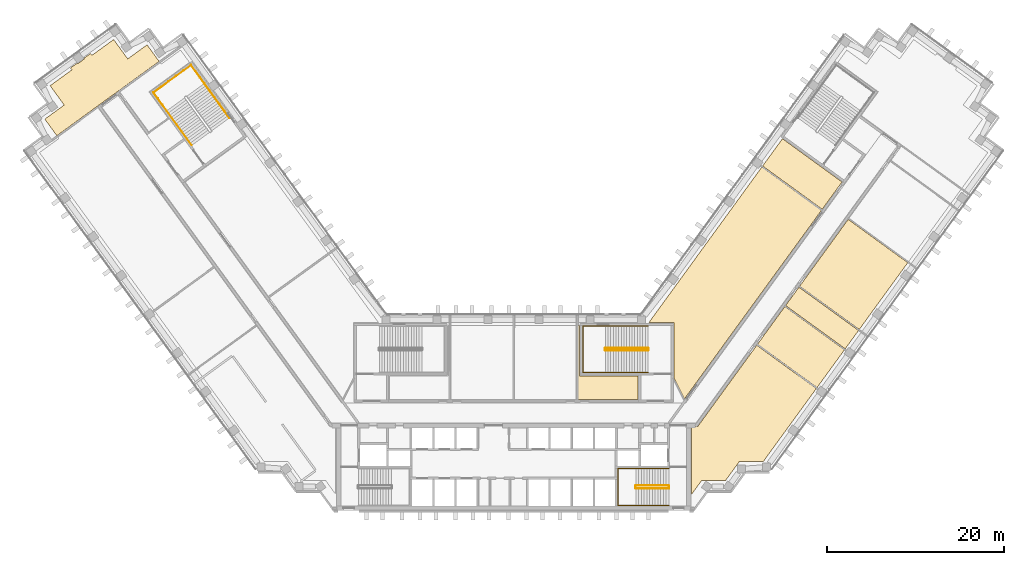
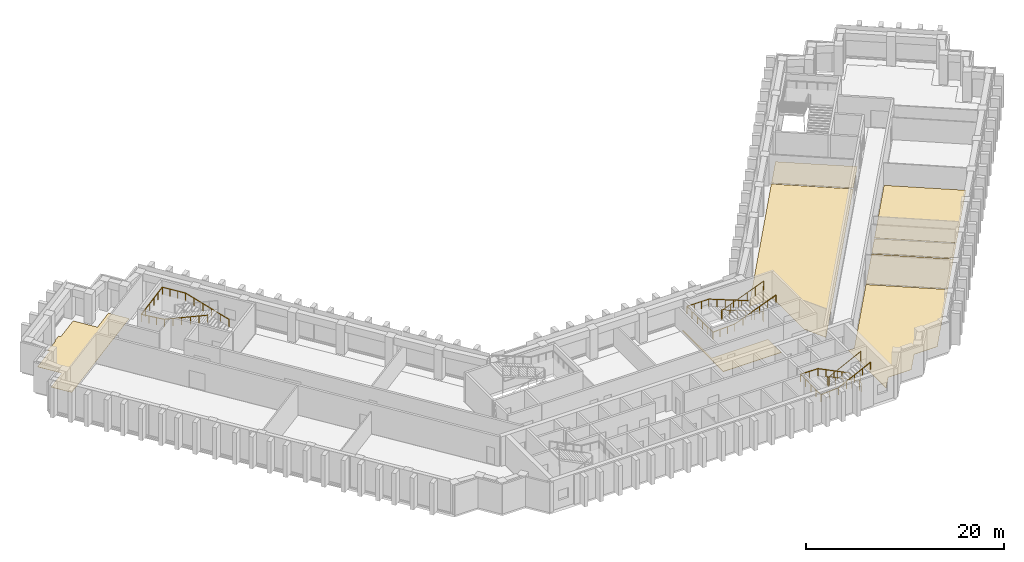
# One storey, part 12 of 13: 8 coverings, 5 railings.
"""IFC4 building model written with IfcOpenShell, lengths in metres."""

from ifc_helpers import new_model, si_unit, direction, frame, origin, origin_2d, place, context, subcontext, project, spatial, polyline, circle, outline, extrude, material, layer, layer_set, type_object, element, save


model = new_model("IFC4")

# Units and contexts
model_context = context("Model", 3, precision=1e-05, world=origin(), true_north=direction((0.0, 1.0)))
body_context = subcontext(model_context, "Body", "Model", "MODEL_VIEW")
ifc_project = project(units=[si_unit("LENGTHUNIT", "METRE"), si_unit("AREAUNIT", "SQUARE_METRE"), si_unit("VOLUMEUNIT", "CUBIC_METRE"), si_unit("PLANEANGLEUNIT", "RADIAN"), si_unit("MASSUNIT", "GRAM", prefix="KILO")], contexts=[model_context])

# Site, building, storey
site_placement = place(None, origin())
site = spatial("IfcSite", under=ifc_project, at=site_placement, CompositionType="ELEMENT")
building_placement = place(site_placement, origin())
building = spatial("IfcBuilding", under=site, at=building_placement, Name="Quipu Civic Tower", CompositionType="ELEMENT")
storey_placement = place(building_placement, frame((0.0, 0.0, 67.0)))
storey = spatial("IfcBuildingStorey", under=building, at=storey_placement, Name="L15", CompositionType="ELEMENT", Elevation=67.0)

# Coverings
ifc_material_1 = material(Name="Carpet tile on raised access floor")
ifc_layer_1 = layer(ifc_material_1, 0.02001953125)
ifc_layer_set_1 = layer_set([ifc_layer_1], Name="Carpet tile on raised access floor")
covering_type_1 = type_object("IfcCoveringType", Name="Carpet tile floor finish 20", PredefinedType="FLOORING", material=ifc_layer_set_1)
covering_1_placement = place(storey_placement, origin())
element("IfcCovering", 1, at=covering_1_placement, inside=storey, type_object=covering_type_1, Name="Carpet tile floor finish 20", PredefinedType="FLOORING", context=body_context, shape_type="SweptSolid", body=[
    extrude(outline(polyline([(27.4990234375, 7.73388671875), (30.590087890625, 11.989990234375), (37.31298828125, 7.10595703125), (34.221923828125, 2.85107421875), (27.4990234375, 7.73388671875)])), origin(), (0.0, 0.0, 1.0), 0.02001953125),
])
covering_2_placement = place(storey_placement, origin())
element("IfcCovering", 2, at=covering_2_placement, inside=storey, type_object=covering_type_1, Name="Carpet tile floor finish 20", PredefinedType="FLOORING", context=body_context, shape_type="SweptSolid", body=[
    extrude(outline(polyline([(15.238037109375, 10.169921875), (27.99609375, 27.72998046875), (34.719970703125, 22.845947265625), (19.27197265625, 1.583984375), (18.070068359375, 3.94189453125), (18.070068359375, 10.1689453125), (15.238037109375, 10.169921875)])), origin(), (0.0, 0.0, 1.0), 0.02001953125),
])
covering_3_placement = place(storey_placement, origin())
element("IfcCovering", 3, at=covering_3_placement, inside=storey, type_object=covering_type_1, Name="Carpet tile floor finish 20", PredefinedType="FLOORING", context=body_context, shape_type="SweptSolid", body=[
    extrude(outline(polyline([(-52.883056640625, 33.12890625), (-50.698974609375, 34.717041015625), (-52.284912109375, 36.90087890625), (-49.826904296875, 38.68603515625), (-49.97900390625, 38.89697265625), (-49.259033203125, 39.4208984375), (-49.236083984375, 39.388916015625), (-49.23291015625, 39.385009765625), (-49.22900390625, 39.382080078125), (-49.22607421875, 39.3779296875), (-49.220947265625, 39.3759765625), (-49.217041015625, 39.373046875), (-49.212890625, 39.37109375), (-49.2080078125, 39.3701171875), (-49.202880859375, 39.368896484375), (-49.197998046875, 39.367919921875), (-49.193115234375, 39.367919921875), (-49.18896484375, 39.368896484375), (-49.18408203125, 39.3701171875), (-49.178955078125, 39.37109375), (-49.174072265625, 39.373046875), (-49.169921875, 39.375), (-49.166015625, 39.3779296875), (-48.43798828125, 39.906982421875), (-48.43408203125, 39.909912109375), (-48.430908203125, 39.9130859375), (-48.427001953125, 39.9169921875), (-48.425048828125, 39.9208984375), (-48.422119140625, 39.926025390625), (-48.419921875, 39.929931640625), (-48.4189453125, 39.93505859375), (-48.41796875, 39.93994140625), (-48.4169921875, 39.944091796875), (-48.4169921875, 39.948974609375), (-48.41796875, 39.9541015625), (-48.4189453125, 39.958984375), (-48.419921875, 39.964111328125), (-48.422119140625, 39.968017578125), (-48.424072265625, 39.972900390625), (-48.427001953125, 39.97705078125), (-48.449951171875, 40.008056640625), (-47.72900390625, 40.531982421875), (-47.574951171875, 40.322021484375), (-45.116943359375, 42.10791015625), (-43.531982421875, 39.925048828125), (-41.346923828125, 41.510986328125), (-39.989013671875, 39.64208984375), (-51.52587890625, 31.260009765625), (-52.883056640625, 33.12890625)])), origin(), (0.0, 0.0, 1.0), 0.02001953125),
])
covering_4_placement = place(storey_placement, origin())
element("IfcCovering", 4, at=covering_4_placement, inside=storey, type_object=covering_type_1, Name="Carpet tile floor finish 20", PredefinedType="FLOORING", context=body_context, shape_type="SweptSolid", body=[
    extrude(outline(polyline([(20.070068359375, -9.195068359375), (20.070068359375, -1.52001953125), (20.77490234375, -1.51904296875), (27.416015625, 7.62109375), (34.138916015625, 2.738037109375), (28.181884765625, -5.4609375), (25.48193359375, -5.4619140625), (25.2080078125, -5.840087890625), (25.205078125, -5.841064453125), (25.200927734375, -5.843017578125), (25.197021484375, -5.844970703125), (25.193115234375, -5.847900390625), (25.18896484375, -5.85205078125), (25.18603515625, -5.85498046875), (25.18310546875, -5.85888671875), (25.179931640625, -5.863037109375), (25.177978515625, -5.867919921875), (25.177001953125, -5.8720703125), (25.175048828125, -5.876953125), (25.175048828125, -5.882080078125), (25.174072265625, -5.885986328125), (23.89501953125, -7.64599609375), (21.721923828125, -7.64599609375), (21.721923828125, -7.64599609375), (21.718017578125, -7.64306640625), (21.712890625, -7.64111328125), (21.708984375, -7.638916015625), (21.7041015625, -7.637939453125), (21.698974609375, -7.636962890625), (21.694091796875, -7.635986328125), (21.68896484375, -7.636962890625), (21.68408203125, -7.636962890625), (21.679931640625, -7.637939453125), (21.675048828125, -7.639892578125), (21.669921875, -7.64111328125), (21.666015625, -7.64404296875), (21.6630859375, -7.64599609375), (21.196044921875, -7.64599609375), (20.070068359375, -9.195068359375)])), origin(), (0.0, 0.0, 1.0), 0.02001953125),
])
ifc_material_2 = material(Name="Ceramic floor tile")
ifc_layer_2 = layer(ifc_material_2, 0.030029296875)
ifc_layer_set_2 = layer_set([ifc_layer_2], Name="Ceramic floor tile")
covering_type_2 = type_object("IfcCoveringType", Name="Ceramic tile floor finish 30", PredefinedType="FLOORING", material=ifc_layer_set_2)
covering_5_placement = place(storey_placement, origin())
element("IfcCovering", 5, at=covering_5_placement, inside=storey, type_object=covering_type_2, Name="Ceramic tile floor finish 30", PredefinedType="FLOORING", context=body_context, shape_type="SweptSolid", body=[
    extrude(outline(polyline([(32.260009765625, 14.287109375), (37.73095703125, 21.820068359375), (44.455078125, 16.93603515625), (38.98291015625, 9.404052734375), (32.260009765625, 14.287109375)])), origin(), (0.0, 0.0, 1.0), 0.030029296875),
])
covering_6_placement = place(storey_placement, origin())
element("IfcCovering", 6, at=covering_6_placement, inside=storey, type_object=covering_type_2, Name="Ceramic tile floor finish 30", PredefinedType="FLOORING", context=body_context, shape_type="SweptSolid", body=[
    extrude(outline(polyline([(28.0791015625, 27.843017578125), (30.31494140625, 30.922119140625), (37.0380859375, 26.0380859375), (34.802001953125, 22.958984375), (28.0791015625, 27.843017578125)])), origin(), (0.0, 0.0, 1.0), 0.030029296875),
])
covering_7_placement = place(storey_placement, origin())
element("IfcCovering", 7, at=covering_7_placement, inside=storey, type_object=covering_type_2, Name="Ceramic tile floor finish 30", PredefinedType="FLOORING", context=body_context, shape_type="SweptSolid", body=[
    extrude(outline(polyline([(30.673095703125, 12.10302734375), (32.177001953125, 14.174072265625), (38.89990234375, 9.291015625), (37.39599609375, 7.218994140625), (30.673095703125, 12.10302734375)])), origin(), (0.0, 0.0, 1.0), 0.030029296875),
])
ifc_material_3 = material(Name="Sealed cement screed")
ifc_layer_3 = layer(ifc_material_3, 0.050048828125)
ifc_layer_set_3 = layer_set([ifc_layer_3], Name="Sealed cement screed")
covering_type_3 = type_object("IfcCoveringType", Name="Sealed screed floor finish 50", PredefinedType="FLOORING", material=ifc_layer_set_3)
covering_8_placement = place(storey_placement, origin())
element("IfcCovering", 8, at=covering_8_placement, inside=storey, type_object=covering_type_3, Name="Sealed screed floor finish 50", PredefinedType="FLOORING", context=body_context, shape_type="SweptSolid", body=[
    extrude(outline(polyline([(7.26806640625, 1.52001953125), (7.26806640625, 9.830078125), (7.429931640625, 9.830078125), (7.429931640625, 4.180908203125), (14.030029296875, 4.179931640625), (14.030029296875, 1.52001953125), (7.26806640625, 1.52001953125)])), origin(), (0.0, 0.0, 1.0), 0.050048828125),
])

# Railings
ifc_material_4 = material(Name="Stainless steel", Category="steel")
railing_type_1 = type_object("IfcRailingType", Name="Stair guard 1100", PredefinedType="GUARDRAIL", material=ifc_material_4)
railing_1_placement = place(storey_placement, frame((17.5, -8.199951171875, 0.15380859375)))
element("IfcRailing", 9, at=railing_1_placement, inside=storey, type_object=railing_type_1, Name="Stair 2 guard", PredefinedType="GUARDRAIL", context=body_context, shape_type="SweptSolid", body=[
    extrude(circle(Radius=0.02392578125, at=origin_2d()), frame((0.0, 0.0, 1.076171875), z_axis=(-0.895751851347, 0.0, 0.444554407028), x_axis=(0.0, -1.0, 0.0)), (0.0, 0.0, 1.0), 4.15283203125),
    extrude(circle(Radius=0.02392578125, at=origin_2d()), frame((-3.719970703125, 0.0, 2.92236328125), z_axis=(-0.707106781187, -0.707106781187, 0.0), x_axis=(0.707106781187, -0.707106781187, 0.0)), (0.0, 0.0, 1.0), 0.07080078125),
    extrude(circle(Radius=0.02392578125, at=origin_2d()), frame((-3.77001953125, -0.050048828125, 2.92236328125), z_axis=(0.0, -1.0, 0.0), x_axis=(1.0, 0.0, 0.0)), (0.0, 0.0, 1.0), 0.25),
    extrude(circle(Radius=0.02392578125, at=origin_2d()), frame((-3.77001953125, -0.300048828125, 2.92236328125), z_axis=(0.295599637079, -0.295599637079, 0.908428152975), x_axis=(0.707106781187, 0.707106781187, 0.0)), (0.0, 0.0, 1.0), 0.16943359375),
    extrude(circle(Radius=0.02392578125, at=origin_2d()), frame((-3.719970703125, -0.35009765625, 3.076171875), z_axis=(0.895751851347, 0.0, 0.444554407028), x_axis=(0.0, 1.0, 0.0)), (0.0, 0.0, 1.0), 4.15283203125),
    extrude(circle(Radius=0.02392578125, at=origin_2d()), frame((0.0, -0.35009765625, 4.92236328125), z_axis=(0.012476181752, 0.074796231092, -0.997120789425), x_axis=(-0.986372223864, 0.164529134168, 0.0)), (0.0, 0.0, 1.0), 4.011474609375),
    extrude(circle(Radius=0.02392578125, at=origin_2d()), frame((0.050048828125, -0.050048828125, 0.92236328125), z_axis=(0.0, -1.0, 0.0), x_axis=(1.0, 0.0, 0.0)), (0.0, 0.0, 1.0), 0.25),
    extrude(circle(Radius=0.02099609375, at=origin_2d()), origin(), (0.0, 0.0, 1.0), 1.052001953125),
    extrude(circle(Radius=0.02099609375, at=origin_2d()), frame((-0.929931640625, 0.0, 0.46142578125)), (0.0, 0.0, 1.0), 1.052001953125),
    extrude(circle(Radius=0.02099609375, at=origin_2d()), frame((-1.85986328125, 0.0, 0.923095703125)), (0.0, 0.0, 1.0), 1.052001953125),
    extrude(circle(Radius=0.02099609375, at=origin_2d()), frame((-2.7900390625, 0.0, 1.384765625)), (0.0, 0.0, 1.0), 1.052001953125),
    extrude(circle(Radius=0.02099609375, at=origin_2d()), frame((-3.719970703125, 0.0, 1.84619140625)), (0.0, 0.0, 1.0), 1.052001953125),
    extrude(circle(Radius=0.02099609375, at=origin_2d()), frame((-3.77001953125, -0.050048828125, 1.84619140625)), (0.0, 0.0, 1.0), 1.052001953125),
    extrude(circle(Radius=0.02099609375, at=origin_2d()), frame((-3.77001953125, -0.300048828125, 1.84619140625)), (0.0, 0.0, 1.0), 1.052001953125),
    extrude(circle(Radius=0.02099609375, at=origin_2d()), frame((-3.719970703125, -0.35009765625, 2.0)), (0.0, 0.0, 1.0), 1.052001953125),
    extrude(circle(Radius=0.02099609375, at=origin_2d()), frame((-2.7900390625, -0.35009765625, 2.46142578125)), (0.0, 0.0, 1.0), 1.052001953125),
    extrude(circle(Radius=0.02099609375, at=origin_2d()), frame((-1.85986328125, -0.35009765625, 2.923095703125)), (0.0, 0.0, 1.0), 1.052001953125),
    extrude(circle(Radius=0.02099609375, at=origin_2d()), frame((-0.929931640625, -0.35009765625, 3.384765625)), (0.0, 0.0, 1.0), 1.052001953125),
    extrude(circle(Radius=0.02099609375, at=origin_2d()), frame((0.0, -0.35009765625, 3.84619140625)), (0.0, 0.0, 1.0), 1.052001953125),
    extrude(circle(Radius=0.02099609375, at=origin_2d()), frame((0.012451171875, -0.275146484375, 2.84619140625)), (0.0, 0.0, 1.0), 1.052001953125),
    extrude(circle(Radius=0.02099609375, at=origin_2d()), frame((0.02490234375, -0.2001953125, 1.84619140625)), (0.0, 0.0, 1.0), 1.052001953125),
    extrude(circle(Radius=0.02099609375, at=origin_2d()), frame((0.03759765625, -0.125, 0.84619140625)), (0.0, 0.0, 1.0), 1.052001953125),
    extrude(circle(Radius=0.02099609375, at=origin_2d()), frame((0.050048828125, -0.050048828125, -0.15380859375)), (0.0, 0.0, 1.0), 1.052001953125),
    extrude(circle(Radius=0.02099609375, at=origin_2d()), frame((0.050048828125, -0.300048828125, -0.15380859375)), (0.0, 0.0, 1.0), 1.052001953125),
])
railing_2_placement = place(storey_placement, frame((15.14990234375, 7.300048828125, 0.11767578125)))
element("IfcRailing", 10, at=railing_2_placement, inside=storey, type_object=railing_type_1, Name="Stair 4 guard", PredefinedType="GUARDRAIL", context=body_context, shape_type="SweptSolid", body=[
    extrude(circle(Radius=0.02392578125, at=origin_2d()), frame((0.0, 0.0, 1.076171875), z_axis=(-0.930970042603, 0.0, 0.365095576219), x_axis=(0.0, -1.0, 0.0)), (0.0, 0.0, 1.0), 5.15576171875),
    extrude(circle(Radius=0.02392578125, at=origin_2d()), frame((-4.7998046875, 0.0, 2.95849609375), z_axis=(-0.707106781187, -0.707106781187, 0.0), x_axis=(0.707106781187, -0.707106781187, 0.0)), (0.0, 0.0, 1.0), 0.07080078125),
    extrude(circle(Radius=0.02392578125, at=origin_2d()), frame((-4.849853515625, -0.050048828125, 2.95849609375), z_axis=(0.0, -1.0, 0.0), x_axis=(1.0, 0.0, 0.0)), (0.0, 0.0, 1.0), 0.14990234375),
    extrude(circle(Radius=0.02392578125, at=origin_2d()), frame((-4.849853515625, -0.199951171875, 2.95849609375), z_axis=(0.364463019033, -0.364463019033, 0.856932561824), x_axis=(0.707106781187, 0.707106781187, 0.0)), (0.0, 0.0, 1.0), 0.13720703125),
    extrude(circle(Radius=0.02392578125, at=origin_2d()), frame((-4.7998046875, -0.25, 3.076171875), z_axis=(0.930970042603, 0.0, 0.365095576219), x_axis=(0.0, 1.0, 0.0)), (0.0, 0.0, 1.0), 5.15576171875),
    extrude(circle(Radius=0.02392578125, at=origin_2d()), frame((0.0, -0.25, 4.95849609375), z_axis=(0.012495627992, 0.049921557685, -0.998674970829), x_axis=(-0.970072785993, 0.242814311512, 0.0)), (0.0, 0.0, 1.0), 4.00537109375),
    extrude(circle(Radius=0.02392578125, at=origin_2d()), frame((0.050048828125, -0.050048828125, 0.95849609375), z_axis=(0.0, -1.0, 0.0), x_axis=(1.0, 0.0, 0.0)), (0.0, 0.0, 1.0), 0.14990234375),
    extrude(circle(Radius=0.02099609375, at=origin_2d()), origin(), (0.0, 0.0, 1.0), 1.052001953125),
    extrude(circle(Radius=0.02099609375, at=origin_2d()), frame((-0.9599609375, 0.0, 0.37646484375)), (0.0, 0.0, 1.0), 1.052001953125),
    extrude(circle(Radius=0.02099609375, at=origin_2d()), frame((-1.919921875, 0.0, 0.7529296875)), (0.0, 0.0, 1.0), 1.052001953125),
    extrude(circle(Radius=0.02099609375, at=origin_2d()), frame((-2.8798828125, 0.0, 1.12939453125)), (0.0, 0.0, 1.0), 1.052001953125),
    extrude(circle(Radius=0.02099609375, at=origin_2d()), frame((-3.83984375, 0.0, 1.505859375)), (0.0, 0.0, 1.0), 1.052001953125),
    extrude(circle(Radius=0.02099609375, at=origin_2d()), frame((-4.7998046875, 0.0, 1.88232421875)), (0.0, 0.0, 1.0), 1.052001953125),
    extrude(circle(Radius=0.02099609375, at=origin_2d()), frame((-4.849853515625, -0.050048828125, 1.88232421875)), (0.0, 0.0, 1.0), 1.052001953125),
    extrude(circle(Radius=0.02099609375, at=origin_2d()), frame((-4.849853515625, -0.199951171875, 1.88232421875)), (0.0, 0.0, 1.0), 1.052001953125),
    extrude(circle(Radius=0.02099609375, at=origin_2d()), frame((-4.7998046875, -0.25, 2.0)), (0.0, 0.0, 1.0), 1.052001953125),
    extrude(circle(Radius=0.02099609375, at=origin_2d()), frame((-3.83984375, -0.25, 2.37646484375)), (0.0, 0.0, 1.0), 1.052001953125),
    extrude(circle(Radius=0.02099609375, at=origin_2d()), frame((-2.8798828125, -0.25, 2.7529296875)), (0.0, 0.0, 1.0), 1.052001953125),
    extrude(circle(Radius=0.02099609375, at=origin_2d()), frame((-1.919921875, -0.25, 3.12939453125)), (0.0, 0.0, 1.0), 1.052001953125),
    extrude(circle(Radius=0.02099609375, at=origin_2d()), frame((-0.9599609375, -0.25, 3.505859375)), (0.0, 0.0, 1.0), 1.052001953125),
    extrude(circle(Radius=0.02099609375, at=origin_2d()), frame((0.0, -0.25, 3.88232421875)), (0.0, 0.0, 1.0), 1.052001953125),
    extrude(circle(Radius=0.02099609375, at=origin_2d()), frame((0.012451171875, -0.199951171875, 2.88232421875)), (0.0, 0.0, 1.0), 1.052001953125),
    extrude(circle(Radius=0.02099609375, at=origin_2d()), frame((0.02490234375, -0.14990234375, 1.88232421875)), (0.0, 0.0, 1.0), 1.052001953125),
    extrude(circle(Radius=0.02099609375, at=origin_2d()), frame((0.03759765625, -0.10009765625, 0.88232421875)), (0.0, 0.0, 1.0), 1.052001953125),
    extrude(circle(Radius=0.02099609375, at=origin_2d()), frame((0.050048828125, -0.050048828125, -0.11767578125)), (0.0, 0.0, 1.0), 1.052001953125),
    extrude(circle(Radius=0.02099609375, at=origin_2d()), frame((0.050048828125, -0.199951171875, -0.11767578125)), (0.0, 0.0, 1.0), 1.052001953125),
])
ifc_material_5 = material(Name="Stainless steel", Category="steel")
railing_type_2 = type_object("IfcRailingType", Name="Stair handrail", PredefinedType="HANDRAIL", material=ifc_material_5)
railing_3_placement = place(storey_placement, frame((17.5, -6.300048828125, 0.15380859375)))
element("IfcRailing", 11, at=railing_3_placement, inside=storey, type_object=railing_type_2, Name="Stair 2 handrail", PredefinedType="HANDRAIL", context=body_context, shape_type="SweptSolid", body=[
    extrude(circle(Radius=0.02392578125, at=origin_2d()), frame((0.0, 0.0, 0.8759765625), z_axis=(-0.895751851347, 0.0, 0.444554407028), x_axis=(0.0, -1.0, 0.0)), (0.0, 0.0, 1.0), 4.15283203125),
    extrude(circle(Radius=0.02392578125, at=origin_2d()), frame((-3.719970703125, 0.0, 2.72216796875), z_axis=(-1.0, 0.0, 0.0), x_axis=(0.0, -1.0, 0.0)), (0.0, 0.0, 1.0), 2.030029296875),
    extrude(circle(Radius=0.02392578125, at=origin_2d()), frame((-5.75, 0.0, 2.72216796875), z_axis=(0.0, -1.0, 0.0), x_axis=(1.0, 0.0, 0.0)), (0.0, 0.0, 1.0), 4.14990234375),
    extrude(circle(Radius=0.02392578125, at=origin_2d()), frame((-5.75, -4.14990234375, 2.72216796875), z_axis=(0.997142003663, 0.0, 0.075550145798), x_axis=(0.0, 1.0, 0.0)), (0.0, 0.0, 1.0), 2.035888671875),
    extrude(circle(Radius=0.02392578125, at=origin_2d()), frame((-3.719970703125, -4.14990234375, 2.8759765625), z_axis=(0.895751851347, 0.0, 0.444554407028), x_axis=(0.0, 1.0, 0.0)), (0.0, 0.0, 1.0), 4.15283203125),
    extrude(circle(Radius=0.02099609375, at=origin_2d()), origin(), (0.0, 0.0, 1.0), 0.851806640625),
    extrude(circle(Radius=0.02099609375, at=origin_2d()), frame((-0.929931640625, 0.0, 0.46142578125)), (0.0, 0.0, 1.0), 0.851806640625),
    extrude(circle(Radius=0.02099609375, at=origin_2d()), frame((-1.85986328125, 0.0, 0.923095703125)), (0.0, 0.0, 1.0), 0.851806640625),
    extrude(circle(Radius=0.02099609375, at=origin_2d()), frame((-2.7900390625, 0.0, 1.384765625)), (0.0, 0.0, 1.0), 0.851806640625),
    extrude(circle(Radius=0.02099609375, at=origin_2d()), frame((-3.719970703125, 0.0, 1.84619140625)), (0.0, 0.0, 1.0), 0.851806640625),
    extrude(circle(Radius=0.02099609375, at=origin_2d()), frame((-4.73486328125, 0.0, 1.84619140625)), (0.0, 0.0, 1.0), 0.851806640625),
    extrude(circle(Radius=0.02099609375, at=origin_2d()), frame((-5.75, 0.0, 1.84619140625)), (0.0, 0.0, 1.0), 0.851806640625),
    extrude(circle(Radius=0.02099609375, at=origin_2d()), frame((-5.75, -1.03759765625, 1.84619140625)), (0.0, 0.0, 1.0), 0.851806640625),
    extrude(circle(Radius=0.02099609375, at=origin_2d()), frame((-5.75, -2.074951171875, 1.84619140625)), (0.0, 0.0, 1.0), 0.851806640625),
    extrude(circle(Radius=0.02099609375, at=origin_2d()), frame((-5.75, -3.1123046875, 1.84619140625)), (0.0, 0.0, 1.0), 0.851806640625),
    extrude(circle(Radius=0.02099609375, at=origin_2d()), frame((-5.75, -4.14990234375, 1.84619140625)), (0.0, 0.0, 1.0), 0.851806640625),
    extrude(circle(Radius=0.02099609375, at=origin_2d()), frame((-4.73486328125, -4.14990234375, 1.923095703125)), (0.0, 0.0, 1.0), 0.851806640625),
    extrude(circle(Radius=0.02099609375, at=origin_2d()), frame((-3.719970703125, -4.14990234375, 2.0)), (0.0, 0.0, 1.0), 0.851806640625),
    extrude(circle(Radius=0.02099609375, at=origin_2d()), frame((-2.7900390625, -4.14990234375, 2.46142578125)), (0.0, 0.0, 1.0), 0.851806640625),
    extrude(circle(Radius=0.02099609375, at=origin_2d()), frame((-1.85986328125, -4.14990234375, 2.923095703125)), (0.0, 0.0, 1.0), 0.851806640625),
    extrude(circle(Radius=0.02099609375, at=origin_2d()), frame((-0.929931640625, -4.14990234375, 3.384765625)), (0.0, 0.0, 1.0), 0.851806640625),
    extrude(circle(Radius=0.02099609375, at=origin_2d()), frame((0.0, -4.14990234375, 3.84619140625)), (0.0, 0.0, 1.0), 0.851806640625),
])
railing_4_placement = place(storey_placement, frame((15.14990234375, 9.800048828125, 0.11767578125)))
element("IfcRailing", 12, at=railing_4_placement, inside=storey, type_object=railing_type_2, Name="Stair 4 handrail", PredefinedType="HANDRAIL", context=body_context, shape_type="SweptSolid", body=[
    extrude(circle(Radius=0.02392578125, at=origin_2d()), frame((0.0, 0.0, 0.8759765625), z_axis=(-0.930970042603, 0.0, 0.365095576219), x_axis=(0.0, -1.0, 0.0)), (0.0, 0.0, 1.0), 5.15576171875),
    extrude(circle(Radius=0.02392578125, at=origin_2d()), frame((-4.7998046875, 0.0, 2.75830078125), z_axis=(-1.0, 0.0, 0.0), x_axis=(0.0, -1.0, 0.0)), (0.0, 0.0, 1.0), 2.550048828125),
    extrude(circle(Radius=0.02392578125, at=origin_2d()), frame((-7.349853515625, 0.0, 2.75830078125), z_axis=(0.0, -1.0, 0.0), x_axis=(1.0, 0.0, 0.0)), (0.0, 0.0, 1.0), 5.25),
    extrude(circle(Radius=0.02392578125, at=origin_2d()), frame((-7.349853515625, -5.25, 2.75830078125), z_axis=(0.998936948642, 0.0, 0.04609742549), x_axis=(0.0, 1.0, 0.0)), (0.0, 0.0, 1.0), 2.552734375),
    extrude(circle(Radius=0.02392578125, at=origin_2d()), frame((-4.7998046875, -5.25, 2.8759765625), z_axis=(0.930970042603, 0.0, 0.365095576219), x_axis=(0.0, 1.0, 0.0)), (0.0, 0.0, 1.0), 5.15576171875),
    extrude(circle(Radius=0.02099609375, at=origin_2d()), origin(), (0.0, 0.0, 1.0), 0.851806640625),
    extrude(circle(Radius=0.02099609375, at=origin_2d()), frame((-0.9599609375, 0.0, 0.37646484375)), (0.0, 0.0, 1.0), 0.851806640625),
    extrude(circle(Radius=0.02099609375, at=origin_2d()), frame((-1.919921875, 0.0, 0.7529296875)), (0.0, 0.0, 1.0), 0.851806640625),
    extrude(circle(Radius=0.02099609375, at=origin_2d()), frame((-2.8798828125, 0.0, 1.12939453125)), (0.0, 0.0, 1.0), 0.851806640625),
    extrude(circle(Radius=0.02099609375, at=origin_2d()), frame((-3.83984375, 0.0, 1.505859375)), (0.0, 0.0, 1.0), 0.851806640625),
    extrude(circle(Radius=0.02099609375, at=origin_2d()), frame((-4.7998046875, 0.0, 1.88232421875)), (0.0, 0.0, 1.0), 0.851806640625),
    extrude(circle(Radius=0.02099609375, at=origin_2d()), frame((-5.64990234375, 0.0, 1.88232421875)), (0.0, 0.0, 1.0), 0.851806640625),
    extrude(circle(Radius=0.02099609375, at=origin_2d()), frame((-6.499755859375, 0.0, 1.88232421875)), (0.0, 0.0, 1.0), 0.851806640625),
    extrude(circle(Radius=0.02099609375, at=origin_2d()), frame((-7.349853515625, 0.0, 1.88232421875)), (0.0, 0.0, 1.0), 0.851806640625),
    extrude(circle(Radius=0.02099609375, at=origin_2d()), frame((-7.349853515625, -1.050048828125, 1.88232421875)), (0.0, 0.0, 1.0), 0.851806640625),
    extrude(circle(Radius=0.02099609375, at=origin_2d()), frame((-7.349853515625, -2.10009765625, 1.88232421875)), (0.0, 0.0, 1.0), 0.851806640625),
    extrude(circle(Radius=0.02099609375, at=origin_2d()), frame((-7.349853515625, -3.14990234375, 1.88232421875)), (0.0, 0.0, 1.0), 0.851806640625),
    extrude(circle(Radius=0.02099609375, at=origin_2d()), frame((-7.349853515625, -4.199951171875, 1.88232421875)), (0.0, 0.0, 1.0), 0.851806640625),
    extrude(circle(Radius=0.02099609375, at=origin_2d()), frame((-7.349853515625, -5.25, 1.88232421875)), (0.0, 0.0, 1.0), 0.851806640625),
    extrude(circle(Radius=0.02099609375, at=origin_2d()), frame((-6.499755859375, -5.25, 1.921630859375)), (0.0, 0.0, 1.0), 0.851806640625),
    extrude(circle(Radius=0.02099609375, at=origin_2d()), frame((-5.64990234375, -5.25, 1.960693359375)), (0.0, 0.0, 1.0), 0.851806640625),
    extrude(circle(Radius=0.02099609375, at=origin_2d()), frame((-4.7998046875, -5.25, 2.0)), (0.0, 0.0, 1.0), 0.851806640625),
    extrude(circle(Radius=0.02099609375, at=origin_2d()), frame((-3.83984375, -5.25, 2.37646484375)), (0.0, 0.0, 1.0), 0.851806640625),
    extrude(circle(Radius=0.02099609375, at=origin_2d()), frame((-2.8798828125, -5.25, 2.7529296875)), (0.0, 0.0, 1.0), 0.851806640625),
    extrude(circle(Radius=0.02099609375, at=origin_2d()), frame((-1.919921875, -5.25, 3.12939453125)), (0.0, 0.0, 1.0), 0.851806640625),
    extrude(circle(Radius=0.02099609375, at=origin_2d()), frame((-0.9599609375, -5.25, 3.505859375)), (0.0, 0.0, 1.0), 0.851806640625),
    extrude(circle(Radius=0.02099609375, at=origin_2d()), frame((0.0, -5.25, 3.88232421875)), (0.0, 0.0, 1.0), 0.851806640625),
])
railing_5_placement = place(storey_placement, frame((-32.056396484375, 33.266845703125, 0.11767578125)))
element("IfcRailing", 13, at=railing_5_placement, inside=storey, type_object=railing_type_2, Name="Stair 6 handrail", PredefinedType="HANDRAIL", context=body_context, shape_type="SweptSolid", body=[
    extrude(circle(Radius=0.02392578125, at=origin_2d()), frame((0.0, 0.0, 0.8759765625), z_axis=(-0.54720100349, 0.753182689643, 0.365084781664), x_axis=(-0.809026317077, -0.587772420479, 0.0)), (0.0, 0.0, 1.0), 5.15576171875),
    extrude(circle(Radius=0.02392578125, at=origin_2d()), frame((-2.8212890625, 3.88330078125, 2.75830078125), z_axis=(-0.587767432704, 0.809029940764, 0.0), x_axis=(-0.809029940764, -0.587767432704, 0.0)), (0.0, 0.0, 1.0), 2.550048828125),
    extrude(circle(Radius=0.02392578125, at=origin_2d()), frame((-4.320068359375, 5.9462890625, 2.75830078125), z_axis=(-0.809009483706, -0.587795589702, 0.0), x_axis=(0.587795589702, -0.809009483706, 0.0)), (0.0, 0.0, 1.0), 5.25),
    extrude(circle(Radius=0.02392578125, at=origin_2d()), frame((-8.5673828125, 2.8603515625, 2.75830078125), z_axis=(0.587142558822, -0.808169835812, 0.046099155132), x_axis=(0.809029940764, 0.587767432704, 0.0)), (0.0, 0.0, 1.0), 2.552734375),
    extrude(circle(Radius=0.02392578125, at=origin_2d()), frame((-7.068603515625, 0.79736328125, 2.8759765625), z_axis=(0.54720100349, -0.753182689643, 0.365084781664), x_axis=(0.809026317077, 0.587772420479, 0.0)), (0.0, 0.0, 1.0), 5.15576171875),
    extrude(circle(Radius=0.02099609375, at=origin_2d()), origin(), (0.0, 0.0, 1.0), 0.851806640625),
    extrude(circle(Radius=0.02099609375, at=origin_2d()), frame((-0.564208984375, 0.776611328125, 0.37646484375)), (0.0, 0.0, 1.0), 0.851806640625),
    extrude(circle(Radius=0.02099609375, at=origin_2d()), frame((-1.12841796875, 1.55322265625, 0.7529296875)), (0.0, 0.0, 1.0), 0.851806640625),
    extrude(circle(Radius=0.02099609375, at=origin_2d()), frame((-1.69287109375, 2.330078125, 1.12939453125)), (0.0, 0.0, 1.0), 0.851806640625),
    extrude(circle(Radius=0.02099609375, at=origin_2d()), frame((-2.257080078125, 3.106689453125, 1.505859375)), (0.0, 0.0, 1.0), 0.851806640625),
    extrude(circle(Radius=0.02099609375, at=origin_2d()), frame((-2.8212890625, 3.88330078125, 1.88232421875)), (0.0, 0.0, 1.0), 0.851806640625),
    extrude(circle(Radius=0.02099609375, at=origin_2d()), frame((-3.32080078125, 4.571044921875, 1.88232421875)), (0.0, 0.0, 1.0), 0.851806640625),
    extrude(circle(Radius=0.02099609375, at=origin_2d()), frame((-3.820556640625, 5.258544921875, 1.88232421875)), (0.0, 0.0, 1.0), 0.851806640625),
    extrude(circle(Radius=0.02099609375, at=origin_2d()), frame((-4.320068359375, 5.9462890625, 1.88232421875)), (0.0, 0.0, 1.0), 0.851806640625),
    extrude(circle(Radius=0.02099609375, at=origin_2d()), frame((-5.16943359375, 5.3291015625, 1.88232421875)), (0.0, 0.0, 1.0), 0.851806640625),
    extrude(circle(Radius=0.02099609375, at=origin_2d()), frame((-6.01904296875, 4.7119140625, 1.88232421875)), (0.0, 0.0, 1.0), 0.851806640625),
    extrude(circle(Radius=0.02099609375, at=origin_2d()), frame((-6.868408203125, 4.0947265625, 1.88232421875)), (0.0, 0.0, 1.0), 0.851806640625),
    extrude(circle(Radius=0.02099609375, at=origin_2d()), frame((-7.718017578125, 3.4775390625, 1.88232421875)), (0.0, 0.0, 1.0), 0.851806640625),
    extrude(circle(Radius=0.02099609375, at=origin_2d()), frame((-8.5673828125, 2.8603515625, 1.88232421875)), (0.0, 0.0, 1.0), 0.851806640625),
    extrude(circle(Radius=0.02099609375, at=origin_2d()), frame((-8.06787109375, 2.172607421875, 1.921630859375)), (0.0, 0.0, 1.0), 0.851806640625),
    extrude(circle(Radius=0.02099609375, at=origin_2d()), frame((-7.568115234375, 1.485107421875, 1.960693359375)), (0.0, 0.0, 1.0), 0.851806640625),
    extrude(circle(Radius=0.02099609375, at=origin_2d()), frame((-7.068603515625, 0.79736328125, 2.0)), (0.0, 0.0, 1.0), 0.851806640625),
    extrude(circle(Radius=0.02099609375, at=origin_2d()), frame((-6.50439453125, 0.020751953125, 2.37646484375)), (0.0, 0.0, 1.0), 0.851806640625),
    extrude(circle(Radius=0.02099609375, at=origin_2d()), frame((-5.940185546875, -0.755859375, 2.7529296875)), (0.0, 0.0, 1.0), 0.851806640625),
    extrude(circle(Radius=0.02099609375, at=origin_2d()), frame((-5.375732421875, -1.53271484375, 3.12939453125)), (0.0, 0.0, 1.0), 0.851806640625),
    extrude(circle(Radius=0.02099609375, at=origin_2d()), frame((-4.8115234375, -2.309326171875, 3.505859375)), (0.0, 0.0, 1.0), 0.851806640625),
    extrude(circle(Radius=0.02099609375, at=origin_2d()), frame((-4.247314453125, -3.0859375, 3.88232421875)), (0.0, 0.0, 1.0), 0.851806640625),
])

save(model, "model.ifc")
